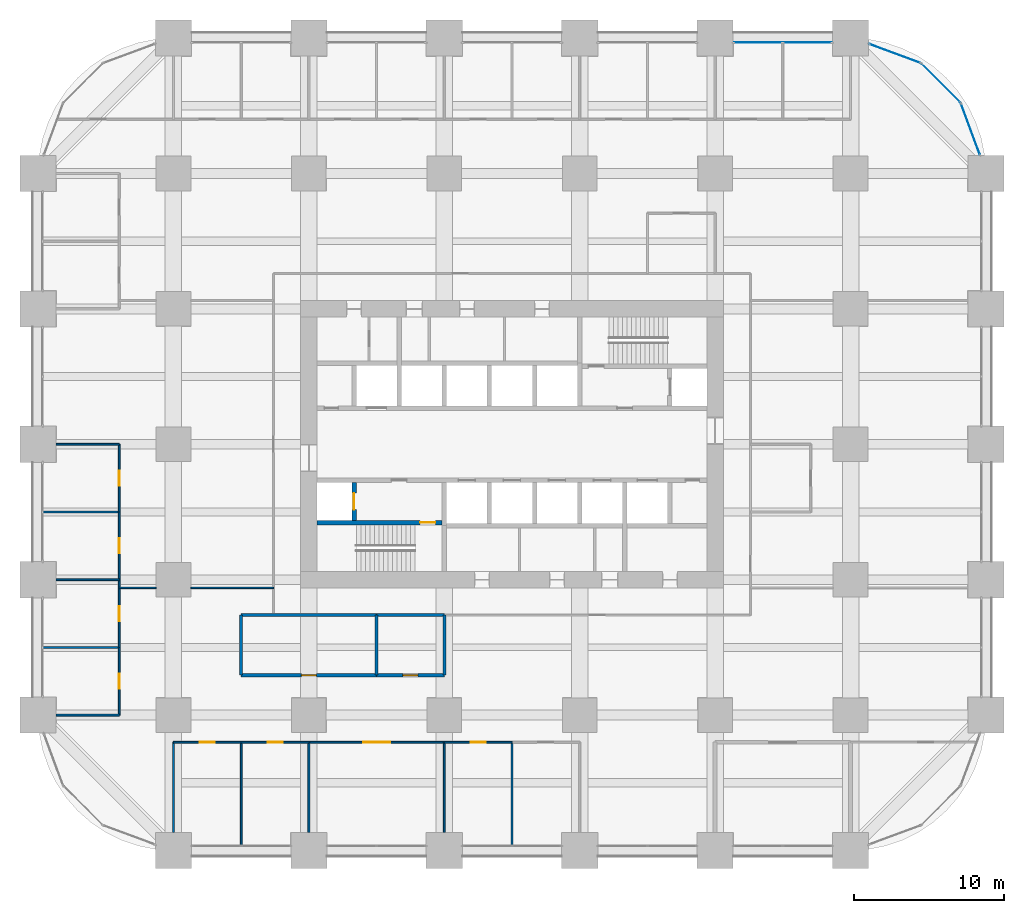
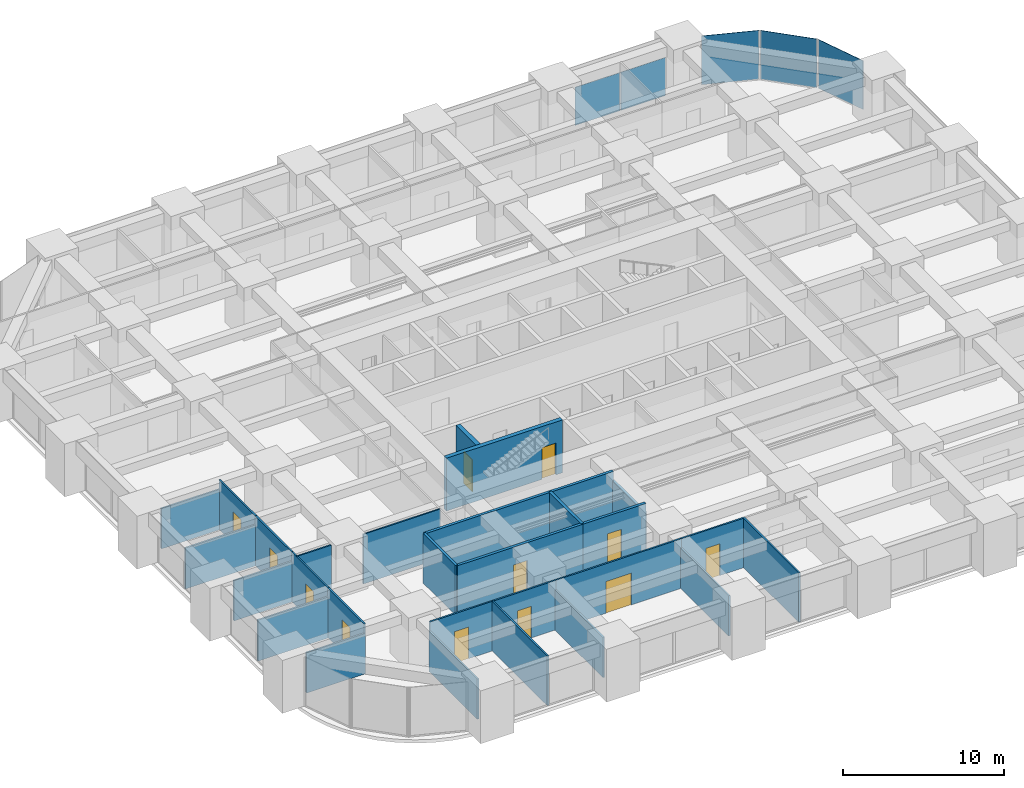
# One storey, part 39 of 44: 29 walls, 12 doors, 5 plates, 12 openings, 4 elements without a shape of their own.
"""IFC4 building model written with IfcOpenShell, lengths in metres."""

from ifc_helpers import new_model, si_unit, direction, frame, frame_2d, origin, origin_2d, place, context, subcontext, project, spatial, rectangle, extrude, material, layer, layer_set, type_object, element, fill, aggregate, save


model = new_model("IFC4")

# Units and contexts
model_context = context("Model", 3, precision=1e-05, world=origin(), true_north=direction((0.0, 1.0)))
body_context = subcontext(model_context, "Body", "Model", "MODEL_VIEW")
ifc_project = project(units=[si_unit("LENGTHUNIT", "METRE"), si_unit("AREAUNIT", "SQUARE_METRE"), si_unit("VOLUMEUNIT", "CUBIC_METRE"), si_unit("PLANEANGLEUNIT", "RADIAN"), si_unit("MASSUNIT", "GRAM", prefix="KILO")], contexts=[model_context])

# Site, building, storey
site_placement = place(None, origin())
site = spatial("IfcSite", under=ifc_project, at=site_placement, CompositionType="ELEMENT")
building_placement = place(site_placement, origin())
building = spatial("IfcBuilding", under=site, at=building_placement, Name="Zorevar Civic Tower", CompositionType="ELEMENT")
storey_placement = place(building_placement, frame((0.0, 0.0, 35.800048828125)))
storey = spatial("IfcBuildingStorey", under=building, at=storey_placement, Name="L08", CompositionType="ELEMENT", Elevation=35.800048828125)

# Curtain wall, plates
ifc_material_1 = material(Name="Dark grey solar-control glass in black aluminium frame", Category="aluminium")
curtain_wall_type = type_object("IfcCurtainWallType", Name="Curtain wall CW2 low zone", PredefinedType="NOTDEFINED", material=ifc_material_1)
curtain_wall_1_placement = place(storey_placement, origin())
curtain_wall_1 = element("IfcCurtainWall", 1, at=curtain_wall_1_placement, inside=storey, type_object=curtain_wall_type, Name="CW2 L08", PredefinedType="NOTDEFINED")
ifc_material_2 = material(Name="Dark grey solar-control glass", Category="glass")
ifc_layer_1 = layer(ifc_material_2, 0.031982421875)
ifc_layer_set_1 = layer_set([ifc_layer_1], Name="CW2 panel 32")
plate_type = type_object("IfcPlateType", Name="CW2 panel 32", PredefinedType="CURTAIN_PANEL", material=ifc_layer_set_1)
plate_1_placement = place(storey_placement, frame((47.864990234375, 53.699951171875, 0.06005859375), z_axis=(0.0, 0.0, 1.0), x_axis=(1.0, 0.0, 0.0)))
plate_1 = element("IfcPlate", 2, at=plate_1_placement, type_object=plate_type, Name="CW2 panel 1.1", PredefinedType="CURTAIN_PANEL", context=body_context, shape_type="SweptSolid", body=[
    extrude(rectangle(XDim=3.2099609375, YDim=0.031982421875, at=origin_2d()), origin(), (0.0, 0.0, 1.0), 2.889892578125),
])
plate_2_placement = place(storey_placement, frame((51.135009765625, 53.699951171875, 0.06005859375), z_axis=(0.0, 0.0, 1.0), x_axis=(1.0, 0.0, 0.0)))
plate_2 = element("IfcPlate", 3, at=plate_2_placement, type_object=plate_type, Name="CW2 panel 2.1", PredefinedType="CURTAIN_PANEL", context=body_context, shape_type="SweptSolid", body=[
    extrude(rectangle(XDim=3.2099609375, YDim=0.031982421875, at=origin_2d()), origin(), (0.0, 0.0, 1.0), 2.889892578125),
])
aggregate(curtain_wall_1, [plate_1, plate_2])

# Curtain wall, plate
curtain_wall_2_placement = place(storey_placement, origin())
curtain_wall_2 = element("IfcCurtainWall", 4, at=curtain_wall_2_placement, inside=storey, type_object=curtain_wall_type, Name="CW2 L08", PredefinedType="NOTDEFINED")
plate_3_placement = place(storey_placement, frame((61.97119140625, 47.9462890625, 0.06005859375), z_axis=(0.0, 0.0, 1.0), x_axis=(-0.346704012033, 0.937974588163, 0.0)))
plate_3 = element("IfcPlate", 5, at=plate_3_placement, type_object=plate_type, Name="CW2 panel 1.1", PredefinedType="CURTAIN_PANEL", context=body_context, shape_type="SweptSolid", body=[
    extrude(rectangle(XDim=3.603759765625, YDim=0.031982421875, at=origin_2d()), origin(), (0.0, 0.0, 1.0), 3.68994140625),
])
aggregate(curtain_wall_2, [plate_3])

curtain_wall_3_placement = place(storey_placement, origin())
curtain_wall_3 = element("IfcCurtainWall", 6, at=curtain_wall_3_placement, inside=storey, type_object=curtain_wall_type, Name="CW2 L08", PredefinedType="NOTDEFINED")
plate_4_placement = place(storey_placement, frame((60.00927734375, 51.00927734375, 0.06005859375), z_axis=(0.0, 0.0, 1.0), x_axis=(-0.707106781187, 0.707106781187, 0.0)))
plate_4 = element("IfcPlate", 7, at=plate_4_placement, type_object=plate_type, Name="CW2 panel 1.1", PredefinedType="CURTAIN_PANEL", context=body_context, shape_type="SweptSolid", body=[
    extrude(rectangle(XDim=3.603759765625, YDim=0.031982421875, at=origin_2d()), origin(), (0.0, 0.0, 1.0), 3.68994140625),
])
aggregate(curtain_wall_3, [plate_4])

curtain_wall_4_placement = place(storey_placement, origin())
curtain_wall_4 = element("IfcCurtainWall", 8, at=curtain_wall_4_placement, inside=storey, type_object=curtain_wall_type, Name="CW2 L08", PredefinedType="NOTDEFINED")
plate_5_placement = place(storey_placement, frame((56.9462890625, 52.97119140625, 0.06005859375), z_axis=(0.0, 0.0, 1.0), x_axis=(-0.937974588163, 0.346704012033, 0.0)))
plate_5 = element("IfcPlate", 9, at=plate_5_placement, type_object=plate_type, Name="CW2 panel 1.1", PredefinedType="CURTAIN_PANEL", context=body_context, shape_type="SweptSolid", body=[
    extrude(rectangle(XDim=3.603759765625, YDim=0.031982421875, at=origin_2d()), origin(), (0.0, 0.0, 1.0), 3.68994140625),
])
aggregate(curtain_wall_4, [plate_5])

# Wall, opening, door
ifc_material_3 = material(Name="Concrete blockwork", Category="masonry")
ifc_layer_2 = layer(ifc_material_3, 0.199951171875)
ifc_layer_set_2 = layer_set([ifc_layer_2], Name="Blockwork wall 200")
wall_type_1 = type_object("IfcWallType", Name="Blockwork wall 200", PredefinedType="SOLIDWALL", material=ifc_layer_set_2)
wall_1_placement = place(storey_placement, frame((13.5, 11.64990234375, 0.0), z_axis=(0.0, 0.0, 1.0), x_axis=(1.0, 0.0, 0.0)))
wall_1 = element("IfcWall", 10, at=wall_1_placement, inside=storey, type_object=wall_type_1, Name="Blockwork wall 200 L08", PredefinedType="SOLIDWALL", context=body_context, shape_type="SweptSolid", body=[
    extrude(rectangle(XDim=9.0, YDim=0.199951171875, at=frame_2d((4.5, 0.0))), origin(), (0.0, 0.0, 1.0), 3.75),
])
opening_1_placement = place(wall_1_placement, frame((4.0, 0.0, 0.0)))
opening_1 = element("IfcOpeningElement", 11, at=opening_1_placement, cuts=wall_1, Name="Opening L08.24", PredefinedType="OPENING", context=body_context, shape_type="SweptSolid", body=[
    extrude(rectangle(XDim=1.0, YDim=2.39990234375, at=frame_2d((0.5, 1.199951171875))), frame((0.0, 0.10986328125, 0.0), z_axis=(0.0, -1.0, 0.0), x_axis=(1.0, 0.0, 0.0)), (0.0, 0.0, 1.0), 0.219970703125),
])
ifc_material_4 = material(Name="Steel door set", Category="steel")
door_type_1 = type_object("IfcDoorType", Name="Security door SD1 1000x2400", OperationType="SINGLE_SWING_LEFT", PredefinedType="DOOR", material=ifc_material_4)
door_1_placement = place(opening_1_placement, origin())
door_1 = element("IfcDoor", 12, at=door_1_placement, inside=storey, type_object=door_type_1, Name="Door L08 D1", OperationType="SINGLE_SWING_LEFT", OverallHeight=2.39990234375, OverallWidth=1.0, PredefinedType="DOOR", context=body_context, shape_type="SweptSolid", body=[
    extrude(rectangle(XDim=1.0, YDim=2.39990234375, at=frame_2d((0.5, 1.199951171875))), frame((0.0, 0.03515625, 0.0), z_axis=(0.0, -1.0, 0.0), x_axis=(1.0, 0.0, 0.0)), (0.0, 0.0, 1.0), 0.070068359375),
])
fill(opening_1, door_1)

wall_2_placement = place(storey_placement, frame((22.5, 11.64990234375, 0.0), z_axis=(0.0, 0.0, 1.0), x_axis=(1.0, 0.0, 0.0)))
wall_2 = element("IfcWall", 13, at=wall_2_placement, inside=storey, type_object=wall_type_1, Name="Blockwork wall 200 L08", PredefinedType="SOLIDWALL", context=body_context, shape_type="SweptSolid", body=[
    extrude(rectangle(XDim=4.5, YDim=0.199951171875, at=frame_2d((2.25, 0.0))), origin(), (0.0, 0.0, 1.0), 3.75),
])
opening_2_placement = place(wall_2_placement, frame((1.75, 0.0, 0.0)))
opening_2 = element("IfcOpeningElement", 14, at=opening_2_placement, cuts=wall_2, Name="Opening L08.25", PredefinedType="OPENING", context=body_context, shape_type="SweptSolid", body=[
    extrude(rectangle(XDim=1.0, YDim=2.39990234375, at=frame_2d((0.5, 1.199951171875))), frame((0.0, 0.10986328125, 0.0), z_axis=(0.0, -1.0, 0.0), x_axis=(1.0, 0.0, 0.0)), (0.0, 0.0, 1.0), 0.219970703125),
])
door_2_placement = place(opening_2_placement, origin())
door_2 = element("IfcDoor", 15, at=door_2_placement, inside=storey, type_object=door_type_1, Name="Door L08 D1", OperationType="SINGLE_SWING_LEFT", OverallHeight=2.39990234375, OverallWidth=1.0, PredefinedType="DOOR", context=body_context, shape_type="SweptSolid", body=[
    extrude(rectangle(XDim=1.0, YDim=2.39990234375, at=frame_2d((0.5, 1.199951171875))), frame((0.0, 0.03515625, 0.0), z_axis=(0.0, -1.0, 0.0), x_axis=(1.0, 0.0, 0.0)), (0.0, 0.0, 1.0), 0.070068359375),
])
fill(opening_2, door_2)

# Walls
wall_3_placement = place(storey_placement, frame((13.5, 15.64990234375, 0.0), z_axis=(0.0, 0.0, 1.0), x_axis=(1.0, 0.0, 0.0)))
element("IfcWall", 16, at=wall_3_placement, inside=storey, type_object=wall_type_1, Name="Blockwork wall 200 L08", PredefinedType="SOLIDWALL", context=body_context, shape_type="SweptSolid", body=[
    extrude(rectangle(XDim=9.0, YDim=0.199951171875, at=frame_2d((4.5, 0.0))), origin(), (0.0, 0.0, 1.0), 3.75),
])
wall_4_placement = place(storey_placement, frame((22.5, 15.64990234375, 0.0), z_axis=(0.0, 0.0, 1.0), x_axis=(1.0, 0.0, 0.0)))
element("IfcWall", 17, at=wall_4_placement, inside=storey, type_object=wall_type_1, Name="Blockwork wall 200 L08", PredefinedType="SOLIDWALL", context=body_context, shape_type="SweptSolid", body=[
    extrude(rectangle(XDim=4.5, YDim=0.199951171875, at=frame_2d((2.25, 0.0))), origin(), (0.0, 0.0, 1.0), 3.75),
])
for number, where, z_axis, x_axis, name in (
    (18, (13.5, 11.64990234375, 0.0), (0.0, 0.0, 1.0), (0.0, 1.0, 0.0), "Blockwork wall 200 L08"),
    (19, (22.5, 11.64990234375, 0.0), (0.0, 0.0, 1.0), (0.0, 1.0, 0.0), "Blockwork wall 200 L08"),
):
    element("IfcWall", number, at=place(storey_placement, frame(where, z_axis=z_axis, x_axis=x_axis)), inside=storey, type_object=wall_type_1, Name=name, PredefinedType="SOLIDWALL", context=body_context, shape_type="SweptSolid", body=[
        extrude(rectangle(XDim=4.0, YDim=0.199951171875, at=frame_2d((2.0, 0.0))), origin(), (0.0, 0.0, 1.0), 3.75),
    ])
wall_5_placement = place(storey_placement, frame((27.0, 11.64990234375, 0.0), z_axis=(0.0, 0.0, 1.0), x_axis=(0.0, 1.0, 0.0)))
element("IfcWall", 20, at=wall_5_placement, inside=storey, type_object=wall_type_1, Name="Blockwork wall 200 L08", PredefinedType="SOLIDWALL", context=body_context, shape_type="SweptSolid", body=[
    extrude(rectangle(XDim=4.0, YDim=0.199951171875, at=frame_2d((2.0, 0.0))), origin(), (0.0, 0.0, 1.0), 3.050048828125),
])
ifc_material_5 = material(Name="Laminated glass in black aluminium frame", Category="aluminium")
ifc_layer_3 = layer(ifc_material_5, 0.10009765625)
ifc_layer_set_3 = layer_set([ifc_layer_3], Name="Glazed partition 100")
wall_type_2 = type_object("IfcWallType", Name="Glazed partition 100", PredefinedType="PARTITIONING", material=ifc_layer_set_3)
wall_6_placement = place(storey_placement, frame((5.389892578125, 17.449951171875, 0.0), z_axis=(0.0, 0.0, 1.0), x_axis=(1.0, 0.0, 0.0)))
element("IfcWall", 21, at=wall_6_placement, inside=storey, type_object=wall_type_2, Name="Glazed partition 100 L08", PredefinedType="PARTITIONING", context=body_context, shape_type="SweptSolid", body=[
    extrude(rectangle(XDim=2.460205078125, YDim=0.10009765625, at=frame_2d((1.22998046875, 0.0))), origin(), (0.0, 0.0, 1.0), 3.75),
])
wall_7_placement = place(storey_placement, frame((10.14990234375, 17.449951171875, 0.0), z_axis=(0.0, 0.0, 1.0), x_axis=(1.0, 0.0, 0.0)))
element("IfcWall", 22, at=wall_7_placement, inside=storey, type_object=wall_type_2, Name="Glazed partition 100 L08", PredefinedType="PARTITIONING", context=body_context, shape_type="SweptSolid", body=[
    extrude(rectangle(XDim=5.5, YDim=0.10009765625, at=frame_2d((2.75, 0.0))), origin(), (0.0, 0.0, 1.0), 3.75),
])

# Wall, opening, door
ifc_material_6 = material(Name="Concrete C40/50", Category="concrete")
ifc_layer_4 = layer(ifc_material_6, 0.300048828125)
ifc_layer_set_4 = layer_set([ifc_layer_4], Name="Inner core wall 300")
wall_type_3 = type_object("IfcWallType", Name="Inner core wall 300", PredefinedType="SHEAR", material=ifc_layer_set_4)
wall_8_placement = place(storey_placement, frame((18.550048828125, 21.800048828125, 0.0), z_axis=(0.0, 0.0, 1.0), x_axis=(1.0, 0.0, 0.0)))
wall_8 = element("IfcWall", 23, at=wall_8_placement, inside=storey, type_object=wall_type_3, Name="Inner core wall S00 L08", PredefinedType="SHEAR", context=body_context, shape_type="SweptSolid", body=[
    extrude(rectangle(XDim=8.300048828125, YDim=0.300048828125, at=frame_2d((4.14990234375, 0.0))), origin(), (0.0, 0.0, 1.0), 4.0),
])
opening_3_placement = place(wall_8_placement, frame((6.85009765625, 0.0, 0.0)))
opening_3 = element("IfcOpeningElement", 24, at=opening_3_placement, cuts=wall_8, Name="Opening L08.11", PredefinedType="OPENING", context=body_context, shape_type="SweptSolid", body=[
    extrude(rectangle(XDim=1.0, YDim=2.39990234375, at=frame_2d((0.5, 1.199951171875))), frame((0.0, 0.159912109375, 0.0), z_axis=(0.0, -1.0, 0.0), x_axis=(1.0, 0.0, 0.0)), (0.0, 0.0, 1.0), 0.320068359375),
])
ifc_material_7 = material(Name="Steel door set", Category="steel")
door_type_2 = type_object("IfcDoorType", Name="Fire door FD1 1000x2400", OperationType="SINGLE_SWING_LEFT", PredefinedType="DOOR", material=ifc_material_7)
door_3_placement = place(opening_3_placement, origin())
door_3 = element("IfcDoor", 25, at=door_3_placement, inside=storey, type_object=door_type_2, Name="Door L08 10", OperationType="SINGLE_SWING_RIGHT", OverallHeight=2.39990234375, OverallWidth=1.0, PredefinedType="DOOR", context=body_context, shape_type="SweptSolid", body=[
    extrude(rectangle(XDim=1.0, YDim=2.39990234375, at=frame_2d((0.5, 1.199951171875))), frame((0.0, 0.030029296875, 0.0), z_axis=(0.0, -1.0, 0.0), x_axis=(1.0, 0.0, 0.0)), (0.0, 0.0, 1.0), 0.06005859375),
])
fill(opening_3, door_3)

wall_9_placement = place(storey_placement, frame((21.0, 21.949951171875, 0.0), z_axis=(0.0, 0.0, 1.0), x_axis=(0.0, 1.0, 0.0)))
wall_9 = element("IfcWall", 26, at=wall_9_placement, inside=storey, type_object=wall_type_3, Name="Inner core wall S02 L08", PredefinedType="SHEAR", context=body_context, shape_type="SweptSolid", body=[
    extrude(rectangle(XDim=2.5, YDim=0.300048828125, at=frame_2d((1.25, 0.0))), origin(), (0.0, 0.0, 1.0), 4.0),
])
opening_4_placement = place(wall_9_placement, frame((0.699951171875, 0.0, 0.0)))
opening_4 = element("IfcOpeningElement", 27, at=opening_4_placement, cuts=wall_9, Name="Opening L08.FL1", PredefinedType="OPENING", context=body_context, shape_type="SweptSolid", body=[
    extrude(rectangle(XDim=1.10009765625, YDim=2.39990234375, at=frame_2d((0.550048828125, 1.199951171875))), frame((0.0, 0.159912109375, 0.0), z_axis=(0.0, -1.0, 0.0), x_axis=(1.0, 0.0, 0.0)), (0.0, 0.0, 1.0), 0.320068359375),
])
ifc_material_8 = material(Name="Steel door set", Category="steel")
door_type_3 = type_object("IfcDoorType", Name="Firefighting lift landing door LD3 1100x2400", OperationType="DOUBLE_DOOR_SLIDING", PredefinedType="DOOR", material=ifc_material_8)
door_4_placement = place(opening_4_placement, origin())
door_4 = element("IfcDoor", 28, at=door_4_placement, inside=storey, type_object=door_type_3, Name="Landing door FL1 L08", OperationType="DOUBLE_DOOR_SLIDING", OverallHeight=2.39990234375, OverallWidth=1.10009765625, PredefinedType="DOOR", context=body_context, shape_type="SweptSolid", body=[
    extrude(rectangle(XDim=1.10009765625, YDim=2.39990234375, at=frame_2d((0.550048828125, 1.199951171875))), frame((0.0, 0.030029296875, 0.0), z_axis=(0.0, -1.0, 0.0), x_axis=(1.0, 0.0, 0.0)), (0.0, 0.0, 1.0), 0.06005859375),
])
fill(opening_4, door_4)

ifc_material_9 = material(Name="Gypsum board on steel studs", Category="steel")
ifc_layer_5 = layer(ifc_material_9, 0.1201171875)
ifc_layer_set_5 = layer_set([ifc_layer_5], Name="Partition 120")
wall_type_4 = type_object("IfcWallType", Name="Partition 120", PredefinedType="PARTITIONING", material=ifc_layer_set_5)
wall_10_placement = place(storey_placement, frame((9.0, 7.199951171875, 0.0), z_axis=(0.0, 0.0, 1.0), x_axis=(1.0, 0.0, 0.0)))
wall_10 = element("IfcWall", 29, at=wall_10_placement, inside=storey, type_object=wall_type_4, Name="Partition 120 L08", PredefinedType="PARTITIONING", context=body_context, shape_type="SweptSolid", body=[
    extrude(rectangle(XDim=4.5, YDim=0.1201171875, at=frame_2d((2.25, 0.0))), origin(), (0.0, 0.0, 1.0), 3.75),
])
opening_5_placement = place(wall_10_placement, frame((1.75, 0.0, 0.0)))
opening_5 = element("IfcOpeningElement", 30, at=opening_5_placement, cuts=wall_10, Name="Opening L08.18", PredefinedType="OPENING", context=body_context, shape_type="SweptSolid", body=[
    extrude(rectangle(XDim=1.0, YDim=2.39990234375, at=frame_2d((0.5, 1.199951171875))), frame((0.0, 0.070068359375, 0.0), z_axis=(0.0, -1.0, 0.0), x_axis=(1.0, 0.0, 0.0)), (0.0, 0.0, 1.0), 0.14013671875),
])
ifc_material_10 = material(Name="Timber door set", Category="wood")
door_type_4 = type_object("IfcDoorType", Name="Door D1 1000x2400", OperationType="SINGLE_SWING_LEFT", PredefinedType="DOOR", material=ifc_material_10)
door_5_placement = place(opening_5_placement, origin())
door_5 = element("IfcDoor", 31, at=door_5_placement, inside=storey, type_object=door_type_4, Name="Door L08 D1", OperationType="SINGLE_SWING_RIGHT", OverallHeight=2.39990234375, OverallWidth=1.0, PredefinedType="DOOR", context=body_context, shape_type="SweptSolid", body=[
    extrude(rectangle(XDim=1.0, YDim=2.39990234375, at=frame_2d((0.5, 1.199951171875))), frame((0.0, 0.02490234375, 0.0), z_axis=(0.0, -1.0, 0.0), x_axis=(1.0, 0.0, 0.0)), (0.0, 0.0, 1.0), 0.050048828125),
])
fill(opening_5, door_5)

wall_11_placement = place(storey_placement, frame((13.5, 7.199951171875, 0.0), z_axis=(0.0, 0.0, 1.0), x_axis=(1.0, 0.0, 0.0)))
wall_11 = element("IfcWall", 32, at=wall_11_placement, inside=storey, type_object=wall_type_4, Name="Partition 120 L08", PredefinedType="PARTITIONING", context=body_context, shape_type="SweptSolid", body=[
    extrude(rectangle(XDim=4.5, YDim=0.1201171875, at=frame_2d((2.25, 0.0))), origin(), (0.0, 0.0, 1.0), 3.75),
])
opening_6_placement = place(wall_11_placement, frame((1.75, 0.0, 0.0)))
opening_6 = element("IfcOpeningElement", 33, at=opening_6_placement, cuts=wall_11, Name="Opening L08.19", PredefinedType="OPENING", context=body_context, shape_type="SweptSolid", body=[
    extrude(rectangle(XDim=1.0, YDim=2.39990234375, at=frame_2d((0.5, 1.199951171875))), frame((0.0, 0.070068359375, 0.0), z_axis=(0.0, -1.0, 0.0), x_axis=(1.0, 0.0, 0.0)), (0.0, 0.0, 1.0), 0.14013671875),
])
door_6_placement = place(opening_6_placement, origin())
door_6 = element("IfcDoor", 34, at=door_6_placement, inside=storey, type_object=door_type_4, Name="Door L08 D1", OperationType="SINGLE_SWING_RIGHT", OverallHeight=2.39990234375, OverallWidth=1.0, PredefinedType="DOOR", context=body_context, shape_type="SweptSolid", body=[
    extrude(rectangle(XDim=1.0, YDim=2.39990234375, at=frame_2d((0.5, 1.199951171875))), frame((0.0, 0.02490234375, 0.0), z_axis=(0.0, -1.0, 0.0), x_axis=(1.0, 0.0, 0.0)), (0.0, 0.0, 1.0), 0.050048828125),
])
fill(opening_6, door_6)

wall_12_placement = place(storey_placement, frame((18.0, 7.199951171875, 0.0), z_axis=(0.0, 0.0, 1.0), x_axis=(1.0, 0.0, 0.0)))
wall_12 = element("IfcWall", 35, at=wall_12_placement, inside=storey, type_object=wall_type_4, Name="Partition 120 L08", PredefinedType="PARTITIONING", context=body_context, shape_type="SweptSolid", body=[
    extrude(rectangle(XDim=9.0, YDim=0.1201171875, at=frame_2d((4.5, 0.0))), origin(), (0.0, 0.0, 1.0), 3.75),
])
opening_7_placement = place(wall_12_placement, frame((3.60009765625, 0.0, 0.0)))
opening_7 = element("IfcOpeningElement", 36, at=opening_7_placement, cuts=wall_12, Name="Opening L08.20", PredefinedType="OPENING", context=body_context, shape_type="SweptSolid", body=[
    extrude(rectangle(XDim=1.800048828125, YDim=2.39990234375, at=frame_2d((0.89990234375, 1.199951171875))), frame((0.0, 0.070068359375, 0.0), z_axis=(0.0, -1.0, 0.0), x_axis=(1.0, 0.0, 0.0)), (0.0, 0.0, 1.0), 0.14013671875),
])
ifc_material_11 = material(Name="Steel door set", Category="steel")
door_type_5 = type_object("IfcDoorType", Name="Door D2 1800x2400", OperationType="DOUBLE_DOOR_SINGLE_SWING", PredefinedType="DOOR", material=ifc_material_11)
door_7_placement = place(opening_7_placement, origin())
door_7 = element("IfcDoor", 37, at=door_7_placement, inside=storey, type_object=door_type_5, Name="Door L08 D1", OperationType="DOUBLE_DOOR_SINGLE_SWING", OverallHeight=2.39990234375, OverallWidth=1.800048828125, PredefinedType="DOOR", context=body_context, shape_type="SweptSolid", body=[
    extrude(rectangle(XDim=1.800048828125, YDim=2.39990234375, at=frame_2d((0.89990234375, 1.199951171875))), frame((0.0, 0.02490234375, 0.0), z_axis=(0.0, -1.0, 0.0), x_axis=(1.0, 0.0, 0.0)), (0.0, 0.0, 1.0), 0.050048828125),
])
fill(opening_7, door_7)

wall_13_placement = place(storey_placement, frame((27.0, 7.199951171875, 0.0), z_axis=(0.0, 0.0, 1.0), x_axis=(1.0, 0.0, 0.0)))
wall_13 = element("IfcWall", 38, at=wall_13_placement, inside=storey, type_object=wall_type_4, Name="Partition 120 L08", PredefinedType="PARTITIONING", context=body_context, shape_type="SweptSolid", body=[
    extrude(rectangle(XDim=4.5, YDim=0.1201171875, at=frame_2d((2.25, 0.0))), origin(), (0.0, 0.0, 1.0), 3.75),
])
opening_8_placement = place(wall_13_placement, frame((1.75, 0.0, 0.0)))
opening_8 = element("IfcOpeningElement", 39, at=opening_8_placement, cuts=wall_13, Name="Opening L08.21", PredefinedType="OPENING", context=body_context, shape_type="SweptSolid", body=[
    extrude(rectangle(XDim=1.0, YDim=2.39990234375, at=frame_2d((0.5, 1.199951171875))), frame((0.0, 0.070068359375, 0.0), z_axis=(0.0, -1.0, 0.0), x_axis=(1.0, 0.0, 0.0)), (0.0, 0.0, 1.0), 0.14013671875),
])
door_8_placement = place(opening_8_placement, origin())
door_8 = element("IfcDoor", 40, at=door_8_placement, inside=storey, type_object=door_type_4, Name="Door L08 D1", OperationType="SINGLE_SWING_RIGHT", OverallHeight=2.39990234375, OverallWidth=1.0, PredefinedType="DOOR", context=body_context, shape_type="SweptSolid", body=[
    extrude(rectangle(XDim=1.0, YDim=2.39990234375, at=frame_2d((0.5, 1.199951171875))), frame((0.0, 0.02490234375, 0.0), z_axis=(0.0, -1.0, 0.0), x_axis=(1.0, 0.0, 0.0)), (0.0, 0.0, 1.0), 0.050048828125),
])
fill(opening_8, door_8)

# Walls
wall_14_placement = place(storey_placement, frame((1.199951171875, 9.0, 0.0), z_axis=(0.0, 0.0, 1.0), x_axis=(1.0, 0.0, 0.0)))
element("IfcWall", 41, at=wall_14_placement, inside=storey, type_object=wall_type_4, Name="Partition 120 L08", PredefinedType="PARTITIONING", context=body_context, shape_type="SweptSolid", body=[
    extrude(rectangle(XDim=4.199951171875, YDim=0.1201171875, at=frame_2d((2.10009765625, 0.0))), origin(), (0.0, 0.0, 1.0), 3.050048828125),
])
wall_15_placement = place(storey_placement, frame((0.31005859375, 13.5, 0.0), z_axis=(0.0, 0.0, 1.0), x_axis=(1.0, 0.0, 0.0)))
element("IfcWall", 42, at=wall_15_placement, inside=storey, type_object=wall_type_4, Name="Partition 120 L08", PredefinedType="PARTITIONING", context=body_context, shape_type="SweptSolid", body=[
    extrude(rectangle(XDim=5.08984375, YDim=0.1201171875, at=frame_2d((2.544921875, 0.0))), origin(), (0.0, 0.0, 1.0), 3.099853515625),
])
wall_16_placement = place(storey_placement, frame((1.199951171875, 18.0, 0.0), z_axis=(0.0, 0.0, 1.0), x_axis=(1.0, 0.0, 0.0)))
element("IfcWall", 43, at=wall_16_placement, inside=storey, type_object=wall_type_4, Name="Partition 120 L08", PredefinedType="PARTITIONING", context=body_context, shape_type="SweptSolid", body=[
    extrude(rectangle(XDim=4.199951171875, YDim=0.1201171875, at=frame_2d((2.10009765625, 0.0))), origin(), (0.0, 0.0, 1.0), 3.050048828125),
])
wall_17_placement = place(storey_placement, frame((0.31005859375, 22.5, 0.0), z_axis=(0.0, 0.0, 1.0), x_axis=(1.0, 0.0, 0.0)))
element("IfcWall", 44, at=wall_17_placement, inside=storey, type_object=wall_type_4, Name="Partition 120 L08", PredefinedType="PARTITIONING", context=body_context, shape_type="SweptSolid", body=[
    extrude(rectangle(XDim=5.08984375, YDim=0.1201171875, at=frame_2d((2.544921875, 0.0))), origin(), (0.0, 0.0, 1.0), 3.099853515625),
])
wall_18_placement = place(storey_placement, frame((1.199951171875, 27.0, 0.0), z_axis=(0.0, 0.0, 1.0), x_axis=(1.0, 0.0, 0.0)))
element("IfcWall", 45, at=wall_18_placement, inside=storey, type_object=wall_type_4, Name="Partition 120 L08", PredefinedType="PARTITIONING", context=body_context, shape_type="SweptSolid", body=[
    extrude(rectangle(XDim=4.199951171875, YDim=0.1201171875, at=frame_2d((2.10009765625, 0.0))), origin(), (0.0, 0.0, 1.0), 3.050048828125),
])

# Wall, opening, door
wall_19_placement = place(storey_placement, frame((5.39990234375, 9.0, 0.0), z_axis=(0.0, 0.0, 1.0), x_axis=(0.0, 1.0, 0.0)))
wall_19 = element("IfcWall", 46, at=wall_19_placement, inside=storey, type_object=wall_type_4, Name="Partition 120 L08", PredefinedType="PARTITIONING", context=body_context, shape_type="SweptSolid", body=[
    extrude(rectangle(XDim=4.5, YDim=0.1201171875, at=frame_2d((2.25, 0.0))), origin(), (0.0, 0.0, 1.0), 3.75),
])
opening_9_placement = place(wall_19_placement, frame((1.75, 0.0, 0.0)))
opening_9 = element("IfcOpeningElement", 47, at=opening_9_placement, cuts=wall_19, Name="Opening L08.40", PredefinedType="OPENING", context=body_context, shape_type="SweptSolid", body=[
    extrude(rectangle(XDim=1.0, YDim=2.39990234375, at=frame_2d((0.5, 1.199951171875))), frame((0.0, 0.070068359375, 0.0), z_axis=(0.0, -1.0, 0.0), x_axis=(1.0, 0.0, 0.0)), (0.0, 0.0, 1.0), 0.14013671875),
])
door_9_placement = place(opening_9_placement, origin())
door_9 = element("IfcDoor", 48, at=door_9_placement, inside=storey, type_object=door_type_4, Name="Door L08 D1", OperationType="SINGLE_SWING_RIGHT", OverallHeight=2.39990234375, OverallWidth=1.0, PredefinedType="DOOR", context=body_context, shape_type="SweptSolid", body=[
    extrude(rectangle(XDim=1.0, YDim=2.39990234375, at=frame_2d((0.5, 1.199951171875))), frame((0.0, 0.02490234375, 0.0), z_axis=(0.0, -1.0, 0.0), x_axis=(1.0, 0.0, 0.0)), (0.0, 0.0, 1.0), 0.050048828125),
])
fill(opening_9, door_9)

wall_20_placement = place(storey_placement, frame((5.39990234375, 13.5, 0.0), z_axis=(0.0, 0.0, 1.0), x_axis=(0.0, 1.0, 0.0)))
wall_20 = element("IfcWall", 49, at=wall_20_placement, inside=storey, type_object=wall_type_4, Name="Partition 120 L08", PredefinedType="PARTITIONING", context=body_context, shape_type="SweptSolid", body=[
    extrude(rectangle(XDim=4.5, YDim=0.1201171875, at=frame_2d((2.25, 0.0))), origin(), (0.0, 0.0, 1.0), 3.75),
])
opening_10_placement = place(wall_20_placement, frame((1.75, 0.0, 0.0)))
opening_10 = element("IfcOpeningElement", 50, at=opening_10_placement, cuts=wall_20, Name="Opening L08.41", PredefinedType="OPENING", context=body_context, shape_type="SweptSolid", body=[
    extrude(rectangle(XDim=1.0, YDim=2.39990234375, at=frame_2d((0.5, 1.199951171875))), frame((0.0, 0.070068359375, 0.0), z_axis=(0.0, -1.0, 0.0), x_axis=(1.0, 0.0, 0.0)), (0.0, 0.0, 1.0), 0.14013671875),
])
door_10_placement = place(opening_10_placement, origin())
door_10 = element("IfcDoor", 51, at=door_10_placement, inside=storey, type_object=door_type_4, Name="Door L08 D1", OperationType="SINGLE_SWING_RIGHT", OverallHeight=2.39990234375, OverallWidth=1.0, PredefinedType="DOOR", context=body_context, shape_type="SweptSolid", body=[
    extrude(rectangle(XDim=1.0, YDim=2.39990234375, at=frame_2d((0.5, 1.199951171875))), frame((0.0, 0.02490234375, 0.0), z_axis=(0.0, -1.0, 0.0), x_axis=(1.0, 0.0, 0.0)), (0.0, 0.0, 1.0), 0.050048828125),
])
fill(opening_10, door_10)

wall_21_placement = place(storey_placement, frame((5.39990234375, 18.0, 0.0), z_axis=(0.0, 0.0, 1.0), x_axis=(0.0, 1.0, 0.0)))
wall_21 = element("IfcWall", 52, at=wall_21_placement, inside=storey, type_object=wall_type_4, Name="Partition 120 L08", PredefinedType="PARTITIONING", context=body_context, shape_type="SweptSolid", body=[
    extrude(rectangle(XDim=4.5, YDim=0.1201171875, at=frame_2d((2.25, 0.0))), origin(), (0.0, 0.0, 1.0), 3.75),
])
opening_11_placement = place(wall_21_placement, frame((1.75, 0.0, 0.0)))
opening_11 = element("IfcOpeningElement", 53, at=opening_11_placement, cuts=wall_21, Name="Opening L08.42", PredefinedType="OPENING", context=body_context, shape_type="SweptSolid", body=[
    extrude(rectangle(XDim=1.0, YDim=2.39990234375, at=frame_2d((0.5, 1.199951171875))), frame((0.0, 0.070068359375, 0.0), z_axis=(0.0, -1.0, 0.0), x_axis=(1.0, 0.0, 0.0)), (0.0, 0.0, 1.0), 0.14013671875),
])
door_11_placement = place(opening_11_placement, origin())
door_11 = element("IfcDoor", 54, at=door_11_placement, inside=storey, type_object=door_type_4, Name="Door L08 D1", OperationType="SINGLE_SWING_LEFT", OverallHeight=2.39990234375, OverallWidth=1.0, PredefinedType="DOOR", context=body_context, shape_type="SweptSolid", body=[
    extrude(rectangle(XDim=1.0, YDim=2.39990234375, at=frame_2d((0.5, 1.199951171875))), frame((0.0, 0.02490234375, 0.0), z_axis=(0.0, -1.0, 0.0), x_axis=(1.0, 0.0, 0.0)), (0.0, 0.0, 1.0), 0.050048828125),
])
fill(opening_11, door_11)

wall_22_placement = place(storey_placement, frame((5.39990234375, 22.5, 0.0), z_axis=(0.0, 0.0, 1.0), x_axis=(0.0, 1.0, 0.0)))
wall_22 = element("IfcWall", 55, at=wall_22_placement, inside=storey, type_object=wall_type_4, Name="Partition 120 L08", PredefinedType="PARTITIONING", context=body_context, shape_type="SweptSolid", body=[
    extrude(rectangle(XDim=4.5, YDim=0.1201171875, at=frame_2d((2.25, 0.0))), origin(), (0.0, 0.0, 1.0), 3.75),
])
opening_12_placement = place(wall_22_placement, frame((1.75, 0.0, 0.0)))
opening_12 = element("IfcOpeningElement", 56, at=opening_12_placement, cuts=wall_22, Name="Opening L08.43", PredefinedType="OPENING", context=body_context, shape_type="SweptSolid", body=[
    extrude(rectangle(XDim=1.0, YDim=2.39990234375, at=frame_2d((0.5, 1.199951171875))), frame((0.0, 0.070068359375, 0.0), z_axis=(0.0, -1.0, 0.0), x_axis=(1.0, 0.0, 0.0)), (0.0, 0.0, 1.0), 0.14013671875),
])
door_12_placement = place(opening_12_placement, origin())
door_12 = element("IfcDoor", 57, at=door_12_placement, inside=storey, type_object=door_type_4, Name="Door L08 D1", OperationType="SINGLE_SWING_LEFT", OverallHeight=2.39990234375, OverallWidth=1.0, PredefinedType="DOOR", context=body_context, shape_type="SweptSolid", body=[
    extrude(rectangle(XDim=1.0, YDim=2.39990234375, at=frame_2d((0.5, 1.199951171875))), frame((0.0, 0.02490234375, 0.0), z_axis=(0.0, -1.0, 0.0), x_axis=(1.0, 0.0, 0.0)), (0.0, 0.0, 1.0), 0.050048828125),
])
fill(opening_12, door_12)

# Walls
wall_23_placement = place(storey_placement, frame((9.0, 1.199951171875, 0.0), z_axis=(0.0, 0.0, 1.0), x_axis=(0.0, 1.0, 0.0)))
element("IfcWall", 58, at=wall_23_placement, inside=storey, type_object=wall_type_4, Name="Partition 120 L08", PredefinedType="PARTITIONING", context=body_context, shape_type="SweptSolid", body=[
    extrude(rectangle(XDim=6.0, YDim=0.1201171875, at=frame_2d((3.0, 0.0))), origin(), (0.0, 0.0, 1.0), 3.050048828125),
])
wall_24_placement = place(storey_placement, frame((13.5, 0.31005859375, 0.0), z_axis=(0.0, 0.0, 1.0), x_axis=(0.0, 1.0, 0.0)))
element("IfcWall", 59, at=wall_24_placement, inside=storey, type_object=wall_type_4, Name="Partition 120 L08", PredefinedType="PARTITIONING", context=body_context, shape_type="SweptSolid", body=[
    extrude(rectangle(XDim=6.889892578125, YDim=0.1201171875, at=frame_2d((3.44482421875, 0.0))), origin(), (0.0, 0.0, 1.0), 3.75),
])
for number, where, z_axis, x_axis, name in (
    (60, (18.0, 1.199951171875, 0.0), (0.0, 0.0, 1.0), (0.0, 1.0, 0.0), "Partition 120 L08"),
    (61, (27.0, 1.199951171875, 0.0), (0.0, 0.0, 1.0), (0.0, 1.0, 0.0), "Partition 120 L08"),
):
    element("IfcWall", number, at=place(storey_placement, frame(where, z_axis=z_axis, x_axis=x_axis)), inside=storey, type_object=wall_type_4, Name=name, PredefinedType="PARTITIONING", context=body_context, shape_type="SweptSolid", body=[
        extrude(rectangle(XDim=6.0, YDim=0.1201171875, at=frame_2d((3.0, 0.0))), origin(), (0.0, 0.0, 1.0), 3.050048828125),
    ])
wall_25_placement = place(storey_placement, frame((31.5, 0.31005859375, 0.0), z_axis=(0.0, 0.0, 1.0), x_axis=(0.0, 1.0, 0.0)))
element("IfcWall", 62, at=wall_25_placement, inside=storey, type_object=wall_type_4, Name="Partition 120 L08", PredefinedType="PARTITIONING", context=body_context, shape_type="SweptSolid", body=[
    extrude(rectangle(XDim=6.889892578125, YDim=0.1201171875, at=frame_2d((3.44482421875, 0.0))), origin(), (0.0, 0.0, 1.0), 3.75),
])

save(model, "model.ifc")
